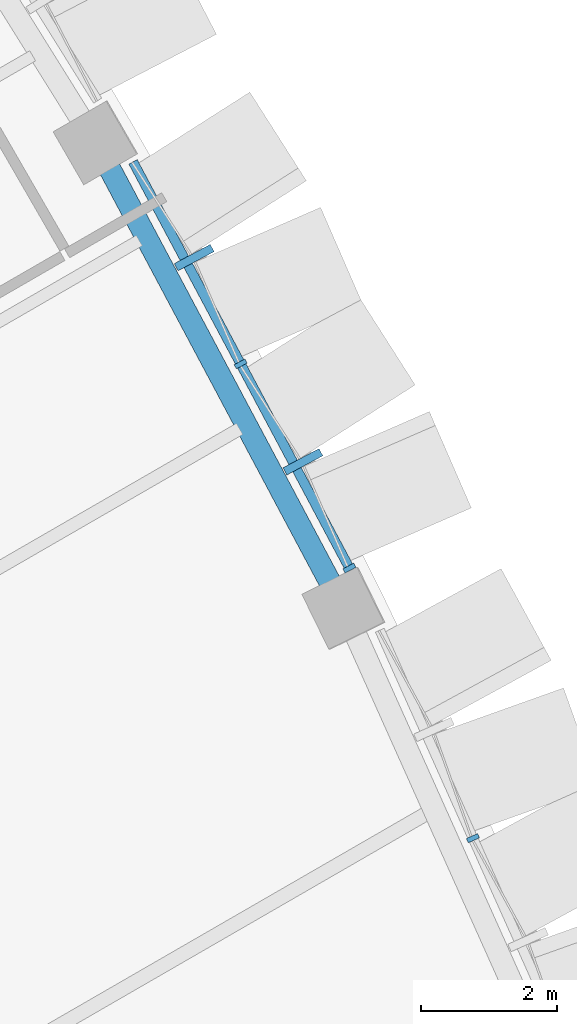
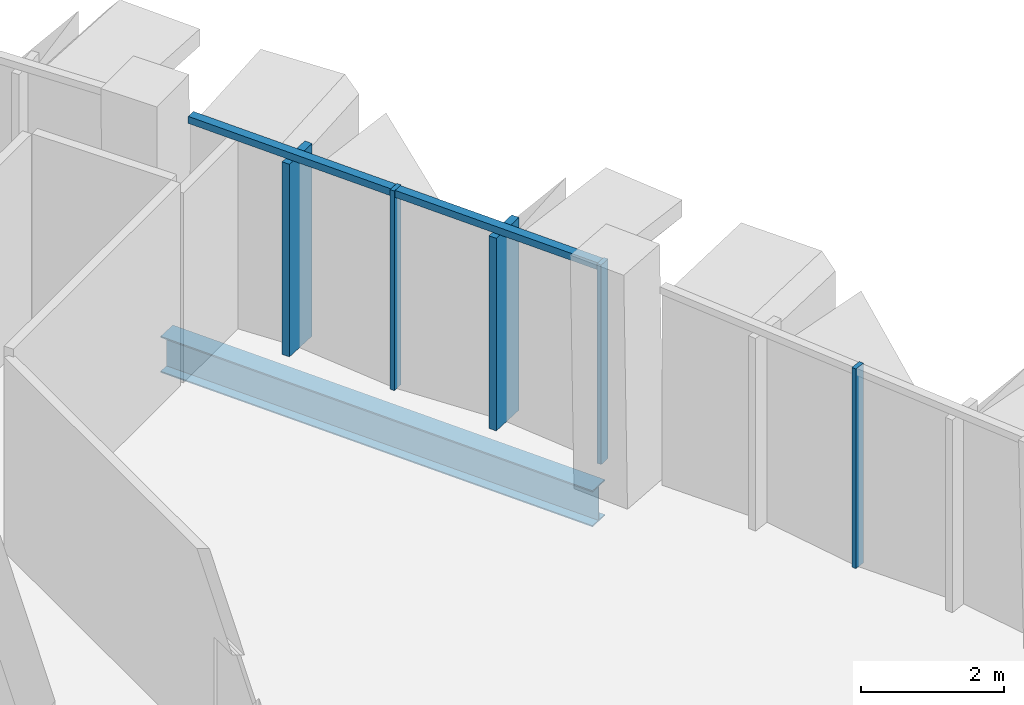
# One storey, part 6 of 22: 7 members, 1 beam, 2 elements without a shape of their own.
"""IFC4 building model written with IfcOpenShell, lengths in metres."""

from ifc_helpers import new_model, si_unit, direction, frame, origin, origin_2d, place, context, subcontext, project, spatial, rectangle, i_section, extrude, material, layer, layer_set, material_profile, profile_set, type_object, element, aggregate, save


model = new_model("IFC4")

# Units and contexts
model_context = context("Model", 3, precision=1e-05, world=origin(), true_north=direction((0.0, 1.0)))
body_context = subcontext(model_context, "Body", "Model", "MODEL_VIEW")
ifc_project = project(units=[si_unit("LENGTHUNIT", "METRE"), si_unit("AREAUNIT", "SQUARE_METRE"), si_unit("VOLUMEUNIT", "CUBIC_METRE"), si_unit("PLANEANGLEUNIT", "RADIAN"), si_unit("MASSUNIT", "GRAM", prefix="KILO")], contexts=[model_context])

# Site, building, storey
site_placement = place(None, origin())
site = spatial("IfcSite", under=ifc_project, at=site_placement, CompositionType="ELEMENT")
building_placement = place(site_placement, origin())
building = spatial("IfcBuilding", under=site, at=building_placement, Name="Sierra Prisma Convention Tower", CompositionType="ELEMENT")
storey_placement = place(building_placement, frame((0.0, 0.0, 243.0)))
storey = spatial("IfcBuildingStorey", under=building, at=storey_placement, Name="L54", CompositionType="ELEMENT", Elevation=243.0)

# Curtain wall, members
ifc_material_1 = material(Name="Aluminium and glass curtain wall", Category="aluminium")
ifc_layer = layer(ifc_material_1, 0.179931640625)
ifc_layer_set = layer_set([ifc_layer], Name="CW-2 Faceted crystal curtain wall")
curtain_wall_type = type_object("IfcCurtainWallType", Name="CW-2 Faceted crystal curtain wall", PredefinedType="NOTDEFINED", material=ifc_layer_set)
curtain_wall_1_placement = place(storey_placement, origin())
curtain_wall_1 = element("IfcCurtainWall", 1, at=curtain_wall_1_placement, inside=storey, type_object=curtain_wall_type, Name="CW-2 NE3 L54", PredefinedType="NOTDEFINED")
ifc_material_2 = material(Name="Aluminium 6063-T6 bronze anodised", Category="aluminium")
ifc_material_profile_1 = material_profile(ifc_material_2, rectangle(XDim=0.1201171875, YDim=0.60009765625, at=origin_2d()), Name="ALU RIDGE BLADE 120x600")
ifc_profile_set_1 = profile_set([ifc_material_profile_1], Name="Aluminium 6063-T6 bronze anodised")
member_type_1 = type_object("IfcMemberType", Name="CW hip bronze", PredefinedType="MULLION", material=ifc_profile_set_1)
member_1_placement = place(storey_placement, frame((20.97802734375, 5.656982421875, 0.0), z_axis=(0.0, 0.0, 1.0), x_axis=(-0.4701451722, 0.882589098651, 0.0)))
member_1 = element("IfcMember", 2, at=member_1_placement, type_object=member_type_1, Name="CW-2 ridge NE3.1", PredefinedType="MULLION", context=body_context, shape_type="SweptSolid", body=[
    extrude(rectangle(XDim=0.1201171875, YDim=0.60009765625, at=origin_2d()), origin(), (0.0, 0.0, 1.0), 3.280029296875),
])
member_2_placement = place(storey_placement, frame((19.37841796875, 8.659912109375, 0.0), z_axis=(0.0, 0.0, 1.0), x_axis=(-0.4701451722, 0.882589098651, 0.0)))
member_2 = element("IfcMember", 3, at=member_2_placement, type_object=member_type_1, Name="CW-2 ridge NE3.2", PredefinedType="MULLION", context=body_context, shape_type="SweptSolid", body=[
    extrude(rectangle(XDim=0.1201171875, YDim=0.60009765625, at=origin_2d()), origin(), (0.0, 0.0, 1.0), 3.280029296875),
])

# Curtain wall, member
curtain_wall_2_placement = place(storey_placement, origin())
curtain_wall_2 = element("IfcCurtainWall", 4, at=curtain_wall_2_placement, inside=storey, type_object=curtain_wall_type, Name="CW-2 NE2 L54", PredefinedType="NOTDEFINED")
ifc_material_3 = material(Name="Aluminium 6063-T6 bronze anodised", Category="aluminium")
ifc_material_profile_2 = material_profile(ifc_material_3, rectangle(XDim=0.179931640625, YDim=0.070068359375, at=origin_2d()), Name="ALU MULLION 70x180")
ifc_profile_set_2 = profile_set([ifc_material_profile_2], Name="Aluminium 6063-T6 bronze anodised")
member_type_2 = type_object("IfcMemberType", Name="CW mullion bronze", PredefinedType="MULLION", material=ifc_profile_set_2)
member_3_placement = place(storey_placement, frame((23.478759765625, 0.12158203125, 0.0), z_axis=(0.0, 0.0, 1.0), x_axis=(-0.912611965632, -0.408826858445, 0.0)))
member_3 = element("IfcMember", 5, at=member_3_placement, type_object=member_type_2, Name="CW-1 mullion NE2.2", PredefinedType="MULLION", context=body_context, shape_type="SweptSolid", body=[
    extrude(rectangle(XDim=0.179931640625, YDim=0.070068359375, at=origin_2d()), origin(), (0.0, 0.0, 1.0), 3.39990234375),
])
aggregate(curtain_wall_2, [member_3])

# Member
member_4_placement = place(storey_placement, frame((21.662109375, 4.09375, 0.0), z_axis=(0.0, 0.0, 1.0), x_axis=(-0.882589098651, -0.4701451722, 0.0)))
member_4 = element("IfcMember", 6, at=member_4_placement, type_object=member_type_2, Name="CW-1 mullion NE3.1", PredefinedType="MULLION", context=body_context, shape_type="SweptSolid", body=[
    extrude(rectangle(XDim=0.179931640625, YDim=0.070068359375, at=origin_2d()), origin(), (0.0, 0.0, 1.0), 3.39990234375),
])

member_5_placement = place(storey_placement, frame((20.0625, 7.0966796875, 0.0), z_axis=(0.0, 0.0, 1.0), x_axis=(-0.882589098651, -0.4701451722, 0.0)))
member_5 = element("IfcMember", 7, at=member_5_placement, type_object=member_type_2, Name="CW-1 mullion NE3.2", PredefinedType="MULLION", context=body_context, shape_type="SweptSolid", body=[
    extrude(rectangle(XDim=0.179931640625, YDim=0.070068359375, at=origin_2d()), origin(), (0.0, 0.0, 1.0), 3.39990234375),
])

ifc_material_4 = material(Name="Aluminium 6063-T6 bronze anodised", Category="aluminium")
ifc_material_profile_3 = material_profile(ifc_material_4, rectangle(XDim=0.139892578125, YDim=0.1201171875, at=origin_2d()), Name="ALU TRANSOM 120x140")
ifc_profile_set_3 = profile_set([ifc_material_profile_3], Name="Aluminium 6063-T6 bronze anodised")
member_type_3 = type_object("IfcMemberType", Name="CW transom bronze", PredefinedType="USERDEFINED", material=ifc_profile_set_3)
member_6_placement = place(storey_placement, frame((21.645751953125, 4.12451171875, 3.340087890625), z_axis=(-0.470154728158, 0.882584008234, 0.0), x_axis=(-0.882584008234, -0.470154728158, 0.0)))
member_6 = element("IfcMember", 8, at=member_6_placement, type_object=member_type_3, Name="CW-1 transom NE3.1", ObjectType="TRANSOM", PredefinedType="USERDEFINED", context=body_context, shape_type="SweptSolid", body=[
    extrude(rectangle(XDim=0.139892578125, YDim=0.1201171875, at=origin_2d()), origin(), (0.0, 0.0, 1.0), 3.332763671875),
])

member_7_placement = place(storey_placement, frame((20.046142578125, 7.127685546875, 3.340087890625), z_axis=(-0.470185127351, 0.882567813835, 0.0), x_axis=(-0.882567813835, -0.470185127351, 0.0)))
member_7 = element("IfcMember", 9, at=member_7_placement, type_object=member_type_3, Name="CW-1 transom NE3.2", ObjectType="TRANSOM", PredefinedType="USERDEFINED", context=body_context, shape_type="SweptSolid", body=[
    extrude(rectangle(XDim=0.139892578125, YDim=0.1201171875, at=origin_2d()), origin(), (0.0, 0.0, 1.0), 3.33251953125),
])

aggregate(curtain_wall_1, [member_4, member_5, member_6, member_1, member_7, member_2])

# Beam
ifc_material_5 = material(Name="Steel ASTM A992 Gr 50", Category="steel")
ifc_material_profile_4 = material_profile(ifc_material_5, i_section(OverallWidth=0.324951171875, OverallDepth=0.615966796875, WebThickness=0.013916015625, FlangeThickness=0.021484375, at=origin_2d()), Name="W610x174")
ifc_profile_set_4 = profile_set([ifc_material_profile_4], Name="Steel ASTM A992 Gr 50")
beam_type = type_object("IfcBeamType", Name="Spandrel beam W610x174", PredefinedType="BEAM", material=ifc_profile_set_4)
beam_placement = place(storey_placement, frame((21.42626953125, 3.79248046875, -0.4580078125), z_axis=(-0.470135038713, 0.882594496569, 0.0), x_axis=(-0.882594496569, -0.470135038713, 0.0)))
element("IfcBeam", 10, at=beam_placement, inside=storey, type_object=beam_type, Name="Spandrel L54-09", PredefinedType="BEAM", context=body_context, shape_type="SweptSolid", body=[
    extrude(i_section(OverallWidth=0.324951171875, OverallDepth=0.615966796875, WebThickness=0.013916015625, FlangeThickness=0.021484375, at=origin_2d()), origin(), (0.0, 0.0, 1.0), 7.10302734375),
])

save(model, "model.ifc")
